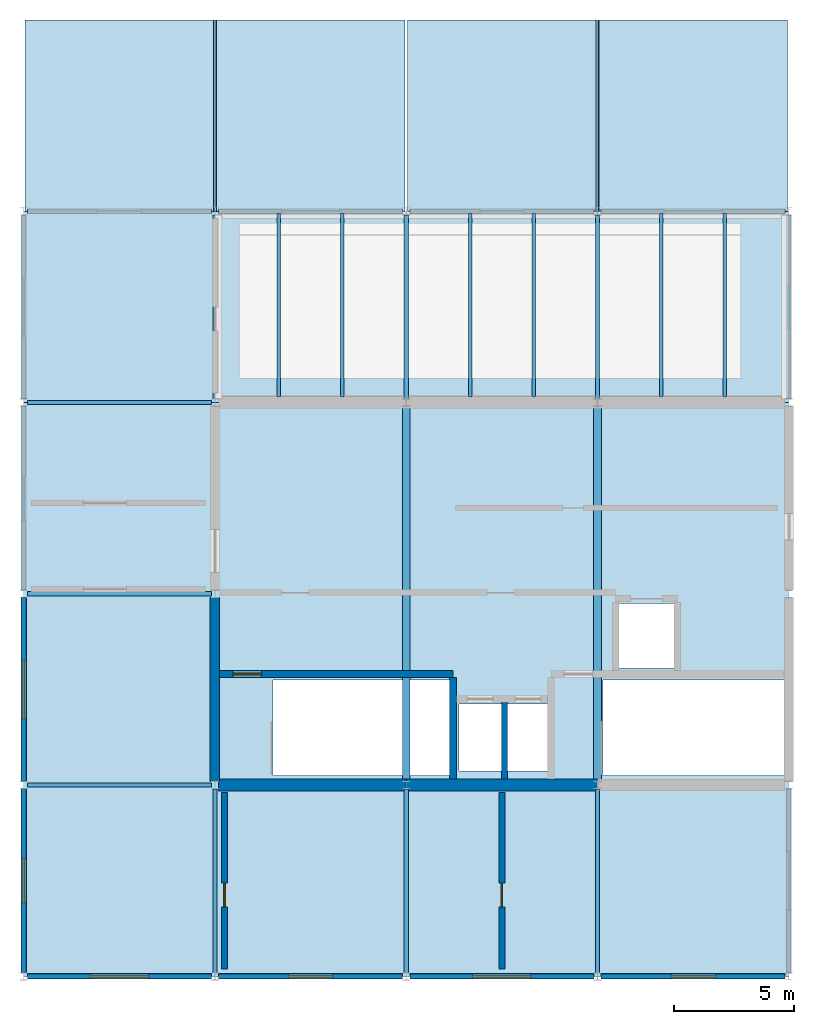
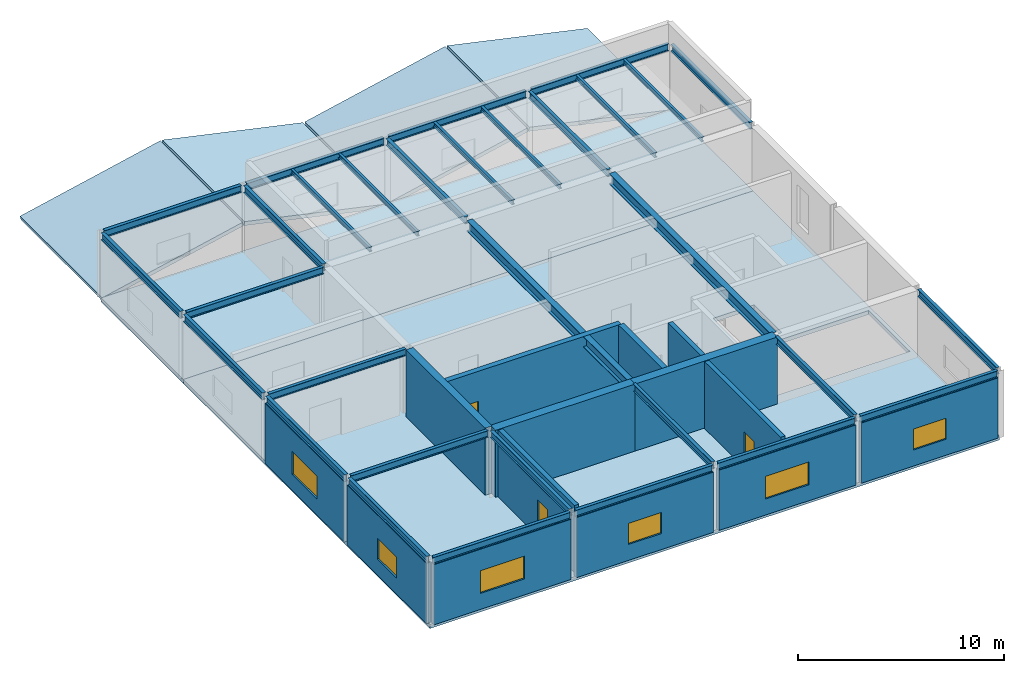
# One storey, part 4 of 7: 31 beams, 14 walls, 6 slabs, 6 windows, 3 doors, 9 openings.
"""IFC4 building model written with IfcOpenShell, lengths in metres."""

from ifc_helpers import new_model, si_unit, direction, frame, frame_2d, origin, origin_2d, place, context, subcontext, project, spatial, polyline, rectangle, i_section, outline, extrude, material, layer, layer_set, material_profile, profile_set, type_object, element, fill, save


model = new_model("IFC4")

# Units and contexts
model_context = context("Model", 3, precision=1e-05, world=origin(), true_north=direction((0.0, 1.0)))
body_context = subcontext(model_context, "Body", "Model", "MODEL_VIEW")
ifc_project = project(units=[si_unit("LENGTHUNIT", "METRE"), si_unit("AREAUNIT", "SQUARE_METRE"), si_unit("VOLUMEUNIT", "CUBIC_METRE"), si_unit("PLANEANGLEUNIT", "RADIAN"), si_unit("MASSUNIT", "GRAM", prefix="KILO")], contexts=[model_context])

# Site, building, storey
site_placement = place(None, origin())
site = spatial("IfcSite", under=ifc_project, at=site_placement, CompositionType="ELEMENT")
building_placement = place(site_placement, origin())
building = spatial("IfcBuilding", under=site, at=building_placement, Name="Varnela Railside Interchange", CompositionType="ELEMENT")
storey_placement = place(building_placement, frame((0.0, 0.0, 36.39990234375)))
storey = spatial("IfcBuildingStorey", under=building, at=storey_placement, Name="L08", CompositionType="ELEMENT", Elevation=36.39990234375)

# Beams
ifc_material_1 = material(Name="Steel AR 350 (350 MPa)", Category="steel")
ifc_material_profile_1 = material_profile(ifc_material_1, i_section(OverallWidth=0.177978515625, OverallDepth=0.406982421875, WebThickness=0.0078125, FlangeThickness=0.0126953125, at=origin_2d()), Name="W410x60")
ifc_profile_set_1 = profile_set([ifc_material_profile_1], Name="Steel AR 350 (350 MPa)")
beam_type_1 = type_object("IfcBeamType", Name="Crown Roof Steel Girder B-23", PredefinedType="BEAM", material=ifc_profile_set_1)
for number, where, z_axis, x_axis, name in (
    (1, (4.154052734375, 46.0, 3.776611328125), (1.0, 0.0, 0.0), (0.0, 1.0, 0.0), "Crown Roof Steel Girder B-23 (L08) (BM-2793)"),
    (2, (12.154052734375, 46.0, 3.776611328125), (1.0, 0.0, 0.0), (0.0, 1.0, 0.0), "Crown Roof Steel Girder B-23 (L08) (BM-2790)"),
    (3, (20.154052734375, 46.0, 3.776611328125), (1.0, 0.0, 0.0), (0.0, 1.0, 0.0), "Crown Roof Steel Girder B-23 (L08) (BM-2791)"),
    (4, (28.154052734375, 46.0, 3.776611328125), (1.0, 0.0, 0.0), (0.0, 1.0, 0.0), "Crown Roof Steel Girder B-23 (L08) (BM-2792)"),
):
    element("IfcBeam", number, at=place(storey_placement, frame(where, z_axis=z_axis, x_axis=x_axis)), inside=storey, type_object=beam_type_1, Name=name, PredefinedType="BEAM", context=body_context, shape_type="SweptSolid", body=[
        extrude(i_section(OverallWidth=0.177978515625, OverallDepth=0.406982421875, WebThickness=0.0078125, FlangeThickness=0.0126953125, at=origin_2d()), origin(), (0.0, 0.0, 1.0), 7.69189453125),
    ])
for number, where, z_axis, x_axis, name in (
    (5, (4.154052734375, 54.0, 3.776611328125), (1.0, 0.0, 0.0), (0.0, 1.0, 0.0), "Crown Roof Steel Girder B-23 (L08) (BM-2794)"),
    (6, (4.154052734375, 62.0, 3.776611328125), (1.0, 0.0, 0.0), (0.0, 1.0, 0.0), "Crown Roof Steel Girder B-23 (L08) (BM-2795)"),
    (7, (4.154052734375, 70.0, 3.776611328125), (1.0, 0.0, 0.0), (0.0, 1.0, 0.0), "Crown Roof Steel Girder B-23 (L08) (BM-2796)"),
):
    element("IfcBeam", number, at=place(storey_placement, frame(where, z_axis=z_axis, x_axis=x_axis)), inside=storey, type_object=beam_type_1, Name=name, PredefinedType="BEAM", context=body_context, shape_type="SweptSolid", body=[
        extrude(i_section(OverallWidth=0.177978515625, OverallDepth=0.406982421875, WebThickness=0.0078125, FlangeThickness=0.0126953125, at=origin_2d()), origin(), (0.0, 0.0, 1.0), 7.69091796875),
    ])
for number, where, z_axis, x_axis, name in (
    (8, (4.154052734375, 78.0, 3.776611328125), (1.0, 0.0, 0.0), (0.0, 1.0, 0.0), "Crown Roof Steel Girder B-23 (L08) (BM-2800)"),
    (9, (12.154052734375, 78.0, 3.776611328125), (1.0, 0.0, 0.0), (0.0, 1.0, 0.0), "Crown Roof Steel Girder B-23 (L08) (BM-2797)"),
    (10, (20.154052734375, 78.0, 3.776611328125), (1.0, 0.0, 0.0), (0.0, 1.0, 0.0), "Crown Roof Steel Girder B-23 (L08) (BM-2798)"),
    (11, (28.154052734375, 78.0, 3.776611328125), (1.0, 0.0, 0.0), (0.0, 1.0, 0.0), "Crown Roof Steel Girder B-23 (L08) (BM-2799)"),
):
    element("IfcBeam", number, at=place(storey_placement, frame(where, z_axis=z_axis, x_axis=x_axis)), inside=storey, type_object=beam_type_1, Name=name, PredefinedType="BEAM", context=body_context, shape_type="SweptSolid", body=[
        extrude(i_section(OverallWidth=0.177978515625, OverallDepth=0.406982421875, WebThickness=0.0078125, FlangeThickness=0.0126953125, at=origin_2d()), origin(), (0.0, 0.0, 1.0), 7.69189453125),
    ])
for number, where, z_axis, x_axis, name in (
    (12, (4.0, 46.151611328125, 3.776611328125), (0.0, 1.0, 0.0), (-1.0, 0.0, 0.0), "Crown Roof Steel Girder B-23 (L08) (BM-2801)"),
    (13, (4.0, 54.151611328125, 3.776611328125), (0.0, 1.0, 0.0), (-1.0, 0.0, 0.0), "Crown Roof Steel Girder B-23 (L08) (BM-2802)"),
    (14, (4.0, 62.151611328125, 3.776611328125), (0.0, 1.0, 0.0), (-1.0, 0.0, 0.0), "Crown Roof Steel Girder B-23 (L08) (BM-2803)"),
    (15, (4.0, 70.151611328125, 3.776611328125), (0.0, 1.0, 0.0), (-1.0, 0.0, 0.0), "Crown Roof Steel Girder B-23 (L08) (BM-2804)"),
):
    element("IfcBeam", number, at=place(storey_placement, frame(where, z_axis=z_axis, x_axis=x_axis)), inside=storey, type_object=beam_type_1, Name=name, PredefinedType="BEAM", context=body_context, shape_type="SweptSolid", body=[
        extrude(i_section(OverallWidth=0.177978515625, OverallDepth=0.406982421875, WebThickness=0.0078125, FlangeThickness=0.0126953125, at=origin_2d()), origin(), (0.0, 0.0, 1.0), 7.69677734375),
    ])
for number, where, z_axis, x_axis, name in (
    (16, (12.0, 46.151611328125, 3.776611328125), (0.0, 1.0, 0.0), (-1.0, 0.0, 0.0), "Crown Roof Steel Girder B-23 (L08) (BM-2805)"),
    (17, (12.0, 70.154052734375, 3.776611328125), (0.0, 1.0, 0.0), (-1.0, 0.0, 0.0), "Crown Roof Steel Girder B-23 (L08) (BM-2806)"),
    (18, (20.0, 46.151611328125, 3.776611328125), (0.0, 1.0, 0.0), (-1.0, 0.0, 0.0), "Crown Roof Steel Girder B-23 (L08) (BM-2807)"),
    (19, (20.0, 70.154052734375, 3.776611328125), (0.0, 1.0, 0.0), (-1.0, 0.0, 0.0), "Crown Roof Steel Girder B-23 (L08) (BM-2809)"),
    (20, (28.0, 46.151611328125, 3.776611328125), (0.0, 1.0, 0.0), (-1.0, 0.0, 0.0), "Crown Roof Steel Girder B-23 (L08) (BM-2810)"),
    (21, (28.0, 70.154052734375, 3.776611328125), (0.0, 1.0, 0.0), (-1.0, 0.0, 0.0), "Crown Roof Steel Girder B-23 (L08) (BM-2812)"),
    (22, (36.0, 46.151611328125, 3.776611328125), (0.0, 1.0, 0.0), (-1.0, 0.0, 0.0), "Crown Roof Steel Girder B-23 (L08) (BM-2813)"),
    (23, (36.0, 70.154052734375, 3.776611328125), (0.0, 1.0, 0.0), (-1.0, 0.0, 0.0), "Crown Roof Steel Girder B-23 (L08) (BM-2814)"),
):
    element("IfcBeam", number, at=place(storey_placement, frame(where, z_axis=z_axis, x_axis=x_axis)), inside=storey, type_object=beam_type_1, Name=name, PredefinedType="BEAM", context=body_context, shape_type="SweptSolid", body=[
        extrude(i_section(OverallWidth=0.177978515625, OverallDepth=0.406982421875, WebThickness=0.0078125, FlangeThickness=0.0126953125, at=origin_2d()), origin(), (0.0, 0.0, 1.0), 7.6943359375),
    ])
ifc_material_profile_2 = material_profile(ifc_material_1, i_section(OverallWidth=0.14599609375, OverallDepth=0.258056640625, WebThickness=0.006103515625, FlangeThickness=0.009033203125, at=origin_2d()), Name="W250x32.7")
ifc_profile_set_2 = profile_set([ifc_material_profile_2], Name="Steel AR 350 (350 MPa)")
beam_type_2 = type_object("IfcBeamType", Name="Roof Deck Joist J-06", PredefinedType="JOIST", material=ifc_profile_set_2)
for number, where, z_axis, x_axis, name in (
    (24, (14.669921875, 70.239990234375, 3.85107421875), (0.0, 1.0, 0.0), (-1.0, 0.0, 0.0), "Roof Deck Joist J-06 (L08) (BM-2784)"),
    (25, (17.330078125, 70.239990234375, 3.85107421875), (0.0, 1.0, 0.0), (-1.0, 0.0, 0.0), "Roof Deck Joist J-06 (L08) (BM-2785)"),
    (26, (22.669921875, 70.239990234375, 3.85107421875), (0.0, 1.0, 0.0), (-1.0, 0.0, 0.0), "Roof Deck Joist J-06 (L08) (BM-2786)"),
    (27, (25.330078125, 70.239990234375, 3.85107421875), (0.0, 1.0, 0.0), (-1.0, 0.0, 0.0), "Roof Deck Joist J-06 (L08) (BM-2787)"),
    (28, (30.669921875, 70.239990234375, 3.85107421875), (0.0, 1.0, 0.0), (-1.0, 0.0, 0.0), "Roof Deck Joist J-06 (L08) (BM-2788)"),
    (29, (33.330078125, 70.239990234375, 3.85107421875), (0.0, 1.0, 0.0), (-1.0, 0.0, 0.0), "Roof Deck Joist J-06 (L08) (BM-2789)"),
):
    element("IfcBeam", number, at=place(storey_placement, frame(where, z_axis=z_axis, x_axis=x_axis)), inside=storey, type_object=beam_type_2, Name=name, PredefinedType="JOIST", context=body_context, shape_type="SweptSolid", body=[
        extrude(i_section(OverallWidth=0.14599609375, OverallDepth=0.258056640625, WebThickness=0.006103515625, FlangeThickness=0.009033203125, at=origin_2d()), origin(), (0.0, 0.0, 1.0), 7.6708984375),
    ])
ifc_material_profile_3 = material_profile(ifc_material_1, i_section(OverallWidth=0.327880859375, OverallDepth=0.6279296875, WebThickness=0.0166015625, FlangeThickness=0.027587890625, at=origin_2d()), Name="W610x217")
ifc_profile_set_3 = profile_set([ifc_material_profile_3], Name="Steel AR 350 (350 MPa)")
beam_type_3 = type_object("IfcBeamType", Name="Transfer Tie Steel Girder B-12", PredefinedType="BEAM", material=ifc_profile_set_3)
for number, where, z_axis, x_axis, name in (
    (30, (20.0, 54.154052734375, 3.666015625), (0.0, 1.0, 0.0), (-1.0, 0.0, 0.0), "Transfer Tie Steel Girder B-12 (L08) (BM-2808)"),
    (31, (28.0, 54.154052734375, 3.666015625), (0.0, 1.0, 0.0), (-1.0, 0.0, 0.0), "Transfer Tie Steel Girder B-12 (L08) (BM-2811)"),
):
    element("IfcBeam", number, at=place(storey_placement, frame(where, z_axis=z_axis, x_axis=x_axis)), inside=storey, type_object=beam_type_3, Name=name, PredefinedType="BEAM", context=body_context, shape_type="SweptSolid", body=[
        extrude(i_section(OverallWidth=0.327880859375, OverallDepth=0.6279296875, WebThickness=0.0166015625, FlangeThickness=0.027587890625, at=origin_2d()), origin(), (0.0, 0.0, 1.0), 15.69189453125),
    ])

# Slabs
ifc_material_2 = material(Name="Concrete C40", Category="concrete")
ifc_layer_1 = layer(ifc_material_2, 0.239990234375)
ifc_layer_set_1 = layer_set([ifc_layer_1], Name="Concrete C40")
slab_type_1 = type_object("IfcSlabType", Name="Central Plant Floor Slab SL-240", PredefinedType="FLOOR", material=ifc_layer_set_1)
slab_1_placement = place(storey_placement, frame((0.0, 0.0, -0.239990234375)))
element("IfcSlab", 32, at=slab_1_placement, inside=storey, type_object=slab_type_1, Name="Central Plant Floor Slab SL-240 (L08) (SL-0214)", PredefinedType="FLOOR", context=body_context, shape_type="SweptSolid", body=[
    extrude(outline(polyline([(4.0, 46.0), (36.0, 46.0), (36.0, 70.0), (4.0, 70.0), (4.0, 46.0)]), holes=[polyline([(14.429931640625, 54.39990234375), (21.800048828125, 54.39990234375), (21.800048828125, 58.39990234375), (14.429931640625, 58.39990234375), (14.429931640625, 54.39990234375)]), polyline([(28.22998046875, 54.39990234375), (35.800048828125, 54.39990234375), (35.800048828125, 58.39990234375), (28.22998046875, 58.39990234375), (28.22998046875, 54.39990234375)]), polyline([(22.199951171875, 54.60009765625), (24.0, 54.60009765625), (24.0, 57.39990234375), (22.199951171875, 57.39990234375), (22.199951171875, 54.60009765625)]), polyline([(24.199951171875, 54.60009765625), (26.0, 54.60009765625), (26.0, 57.39990234375), (24.199951171875, 57.39990234375), (24.199951171875, 54.60009765625)]), polyline([(28.89990234375, 58.89990234375), (31.199951171875, 58.89990234375), (31.199951171875, 61.60009765625), (28.89990234375, 61.60009765625), (28.89990234375, 58.89990234375)])]), origin(), (0.0, 0.0, 1.0), 0.239990234375),
])
slab_2_placement = place(storey_placement, frame((0.0, 0.0, -0.239990234375)))
element("IfcSlab", 33, at=slab_2_placement, inside=storey, type_object=slab_type_1, Name="Central Plant Floor Slab SL-240 (L08) (SL-0215)", PredefinedType="FLOOR", context=body_context, shape_type="SweptSolid", body=[
    extrude(outline(polyline([(4.0, 70.0), (36.0, 70.0), (36.0, 78.0), (4.0, 78.0), (4.0, 70.0)])), origin(), (0.0, 0.0, 1.0), 0.239990234375),
])
ifc_layer_2 = layer(ifc_material_2, 0.22998046875)
ifc_layer_set_2 = layer_set([ifc_layer_2], Name="Concrete C40")
slab_type_2 = type_object("IfcSlabType", Name="Folded Concrete Pavilion Roof Shell FS-01", PredefinedType="ROOF", material=ifc_layer_set_2)
for number, where, z_axis, x_axis, name in (
    (34, (4.06005859375, 78.0, -0.02490234375), (-0.213859347416, 0.0, 0.976864463231), (0.976864463231, 0.0, 0.213859347416), "Folded Concrete Pavilion Roof Shell FS-01 (L08) (SL-0216)"),
    (35, (12.06005859375, 78.0, 1.7001953125), (0.213859347416, 0.0, 0.976864463231), (0.976864463231, 0.0, -0.213859347416), "Folded Concrete Pavilion Roof Shell FS-01 (L08) (SL-0217)"),
    (36, (20.06005859375, 78.0, -0.02490234375), (-0.213859347416, 0.0, 0.976864463231), (0.976864463231, 0.0, 0.213859347416), "Folded Concrete Pavilion Roof Shell FS-01 (L08) (SL-0218)"),
    (37, (28.06005859375, 78.0, 1.7001953125), (0.213859347416, 0.0, 0.976864463231), (0.976864463231, 0.0, -0.213859347416), "Folded Concrete Pavilion Roof Shell FS-01 (L08) (SL-0219)"),
):
    element("IfcSlab", number, at=place(storey_placement, frame(where, z_axis=z_axis, x_axis=x_axis)), inside=storey, type_object=slab_type_2, Name=name, PredefinedType="ROOF", context=body_context, shape_type="SweptSolid", body=[
        extrude(outline(polyline([(0.0, 0.0), (8.066505752947316, 0.0), (8.066505752947316, 8.0), (0.0, 8.0), (0.0, 0.0)])), origin(), (0.0, 0.0, -1.0), 0.22998046875),
    ])

# Walls
ifc_material_3 = material(Name="Concrete C50", Category="concrete")
ifc_layer_3 = layer(ifc_material_3, 0.39990234375)
ifc_layer_set_3 = layer_set([ifc_layer_3], Name="Concrete C50")
wall_type_1 = type_object("IfcWallType", Name="Core Coupling Shear Wall SW-02", PredefinedType="SHEAR", material=ifc_layer_set_3)
wall_1_placement = place(storey_placement, frame((12.0, 54.154052734375, 0.0), z_axis=(0.0, 0.0, 1.0), x_axis=(0.0, 1.0, 0.0)))
element("IfcWall", 38, at=wall_1_placement, inside=storey, type_object=wall_type_1, Name="Core Coupling Shear Wall SW-02 (L08) (WL-1086)", PredefinedType="SHEAR", context=body_context, shape_type="SweptSolid", body=[
    extrude(rectangle(XDim=7.69189453125, YDim=0.39990234375, at=frame_2d((3.845947265625, 0.0))), origin(), (0.0, 0.0, 1.0), 3.97998046875),
])
ifc_layer_4 = layer(ifc_material_3, 0.5)
ifc_layer_set_4 = layer_set([ifc_layer_4], Name="Concrete C50")
wall_type_2 = type_object("IfcWallType", Name="Core Primary Shear Wall SW-01", PredefinedType="SHEAR", material=ifc_layer_set_4)
wall_2_placement = place(storey_placement, frame((12.155029296875, 54.0, 0.0), z_axis=(0.0, 0.0, 1.0), x_axis=(1.0, 0.0, 0.0)))
element("IfcWall", 39, at=wall_2_placement, inside=storey, type_object=wall_type_2, Name="Core Primary Shear Wall SW-01 (L08) (WL-1079)", PredefinedType="SHEAR", context=body_context, shape_type="SweptSolid", body=[
    extrude(rectangle(XDim=7.844970703125, YDim=0.5, at=frame_2d((3.92236328125, 0.0))), origin(), (0.0, 0.0, 1.0), 3.97998046875),
])
wall_3_placement = place(storey_placement, frame((20.0, 54.0, 0.0), z_axis=(0.0, 0.0, 1.0), x_axis=(1.0, 0.0, 0.0)))
element("IfcWall", 40, at=wall_3_placement, inside=storey, type_object=wall_type_2, Name="Core Primary Shear Wall SW-01 (L08) (WL-1080)", PredefinedType="SHEAR", context=body_context, shape_type="SweptSolid", body=[
    extrude(rectangle(XDim=8.0, YDim=0.5, at=frame_2d((4.0, 0.0))), origin(), (0.0, 0.0, 1.0), 3.97998046875),
])

# Wall, opening, window
ifc_material_4 = material(Name="Concrete C40 precast", Category="concrete")
ifc_layer_5 = layer(ifc_material_4, 0.239990234375)
ifc_layer_set_5 = layer_set([ifc_layer_5], Name="Concrete C40 precast")
wall_type_3 = type_object("IfcWallType", Name="Plant Louvre Screen Wall EW-05", PredefinedType="STANDARD", material=ifc_layer_set_5)
wall_4_placement = place(storey_placement, frame((35.845947265625, 46.0, 0.0), z_axis=(0.0, 0.0, 1.0), x_axis=(-1.0, 0.0, 0.0)))
wall_4 = element("IfcWall", 41, at=wall_4_placement, inside=storey, type_object=wall_type_3, Name="Plant Louvre Screen Wall EW-05 (L08) (WL-1088)", PredefinedType="STANDARD", context=body_context, shape_type="SweptSolid", body=[
    extrude(rectangle(XDim=7.69189453125, YDim=0.239990234375, at=frame_2d((3.845947265625, 0.0))), origin(), (0.0, 0.0, 1.0), 3.572998046875),
])
opening_1_placement = place(wall_4_placement, frame((2.9208984375, 0.0, 0.949951171875)))
opening_1 = element("IfcOpeningElement", 42, at=opening_1_placement, cuts=wall_4, Name="Opening W-155", PredefinedType="OPENING", context=body_context, shape_type="SweptSolid", body=[
    extrude(rectangle(XDim=1.85009765625, YDim=1.25, at=frame_2d((0.925048828125, 0.625))), frame((0.0, 0.1298828125, 0.0), z_axis=(0.0, -1.0, 0.0), x_axis=(1.0, 0.0, 0.0)), (0.0, 0.0, 1.0), 0.260009765625),
])
ifc_material_5 = material(Name="Aluminium 6063-T6", Category="aluminium")
window_type_1 = type_object("IfcWindowType", Name="Smoke Extract Louvre Win WN-24", PartitioningType="SINGLE_PANEL", PredefinedType="WINDOW", material=ifc_material_5)
window_1_placement = place(opening_1_placement, origin())
window_1 = element("IfcWindow", 43, at=window_1_placement, inside=storey, type_object=window_type_1, Name="Window W-155", OverallHeight=1.25, OverallWidth=1.85009765625, PartitioningType="SINGLE_PANEL", PredefinedType="WINDOW", context=body_context, shape_type="SweptSolid", body=[
    extrude(rectangle(XDim=1.85009765625, YDim=1.25, at=frame_2d((0.925048828125, 0.625))), frame((0.0, 0.030029296875, 0.0), z_axis=(0.0, -1.0, 0.0), x_axis=(1.0, 0.0, 0.0)), (0.0, 0.0, 1.0), 0.06005859375),
])
fill(opening_1, window_1)

wall_5_placement = place(storey_placement, frame((27.845947265625, 46.0, 0.0), z_axis=(0.0, 0.0, 1.0), x_axis=(-1.0, 0.0, 0.0)))
wall_5 = element("IfcWall", 44, at=wall_5_placement, inside=storey, type_object=wall_type_3, Name="Plant Louvre Screen Wall EW-05 (L08) (WL-1094)", PredefinedType="STANDARD", context=body_context, shape_type="SweptSolid", body=[
    extrude(rectangle(XDim=7.69189453125, YDim=0.239990234375, at=frame_2d((3.845947265625, 0.0))), origin(), (0.0, 0.0, 1.0), 3.572998046875),
])
opening_2_placement = place(wall_5_placement, frame((2.62109375, 0.0, 0.949951171875)))
opening_2 = element("IfcOpeningElement", 45, at=opening_2_placement, cuts=wall_5, Name="Opening W-156", PredefinedType="OPENING", context=body_context, shape_type="SweptSolid", body=[
    extrude(rectangle(XDim=2.449951171875, YDim=1.35009765625, at=frame_2d((1.22509765625, 0.675048828125))), frame((0.0, 0.1298828125, 0.0), z_axis=(0.0, -1.0, 0.0), x_axis=(1.0, 0.0, 0.0)), (0.0, 0.0, 1.0), 0.260009765625),
])
window_type_2 = type_object("IfcWindowType", Name="Plant Acoustic Louvre Win WN-23", PartitioningType="SINGLE_PANEL", PredefinedType="WINDOW", material=ifc_material_5)
window_2_placement = place(opening_2_placement, origin())
window_2 = element("IfcWindow", 46, at=window_2_placement, inside=storey, type_object=window_type_2, Name="Window W-156", OverallHeight=1.35009765625, OverallWidth=2.449951171875, PartitioningType="SINGLE_PANEL", PredefinedType="WINDOW", context=body_context, shape_type="SweptSolid", body=[
    extrude(rectangle(XDim=2.449951171875, YDim=1.35009765625, at=frame_2d((1.22509765625, 0.675048828125))), frame((0.0, 0.030029296875, 0.0), z_axis=(0.0, -1.0, 0.0), x_axis=(1.0, 0.0, 0.0)), (0.0, 0.0, 1.0), 0.06005859375),
])
fill(opening_2, window_2)

wall_6_placement = place(storey_placement, frame((19.845947265625, 46.0, 0.0), z_axis=(0.0, 0.0, 1.0), x_axis=(-1.0, 0.0, 0.0)))
wall_6 = element("IfcWall", 47, at=wall_6_placement, inside=storey, type_object=wall_type_3, Name="Plant Louvre Screen Wall EW-05 (L08) (WL-1095)", PredefinedType="STANDARD", context=body_context, shape_type="SweptSolid", body=[
    extrude(rectangle(XDim=7.69189453125, YDim=0.239990234375, at=frame_2d((3.845947265625, 0.0))), origin(), (0.0, 0.0, 1.0), 3.572998046875),
])
opening_3_placement = place(wall_6_placement, frame((2.9208984375, 0.0, 0.949951171875)))
opening_3 = element("IfcOpeningElement", 48, at=opening_3_placement, cuts=wall_6, Name="Opening W-157", PredefinedType="OPENING", context=body_context, shape_type="SweptSolid", body=[
    extrude(rectangle(XDim=1.85009765625, YDim=1.25, at=frame_2d((0.925048828125, 0.625))), frame((0.0, 0.1298828125, 0.0), z_axis=(0.0, -1.0, 0.0), x_axis=(1.0, 0.0, 0.0)), (0.0, 0.0, 1.0), 0.260009765625),
])
window_3_placement = place(opening_3_placement, origin())
window_3 = element("IfcWindow", 49, at=window_3_placement, inside=storey, type_object=window_type_1, Name="Window W-157", OverallHeight=1.25, OverallWidth=1.85009765625, PartitioningType="SINGLE_PANEL", PredefinedType="WINDOW", context=body_context, shape_type="SweptSolid", body=[
    extrude(rectangle(XDim=1.85009765625, YDim=1.25, at=frame_2d((0.925048828125, 0.625))), frame((0.0, 0.030029296875, 0.0), z_axis=(0.0, -1.0, 0.0), x_axis=(1.0, 0.0, 0.0)), (0.0, 0.0, 1.0), 0.06005859375),
])
fill(opening_3, window_3)

wall_7_placement = place(storey_placement, frame((11.845947265625, 46.0, 0.0), z_axis=(0.0, 0.0, 1.0), x_axis=(-1.0, 0.0, 0.0)))
wall_7 = element("IfcWall", 50, at=wall_7_placement, inside=storey, type_object=wall_type_3, Name="Plant Louvre Screen Wall EW-05 (L08) (WL-1096)", PredefinedType="STANDARD", context=body_context, shape_type="SweptSolid", body=[
    extrude(rectangle(XDim=7.69189453125, YDim=0.239990234375, at=frame_2d((3.845947265625, 0.0))), origin(), (0.0, 0.0, 1.0), 3.572998046875),
])
opening_4_placement = place(wall_7_placement, frame((2.62109375, 0.0, 0.949951171875)))
opening_4 = element("IfcOpeningElement", 51, at=opening_4_placement, cuts=wall_7, Name="Opening W-158", PredefinedType="OPENING", context=body_context, shape_type="SweptSolid", body=[
    extrude(rectangle(XDim=2.449951171875, YDim=1.35009765625, at=frame_2d((1.22509765625, 0.675048828125))), frame((0.0, 0.1298828125, 0.0), z_axis=(0.0, -1.0, 0.0), x_axis=(1.0, 0.0, 0.0)), (0.0, 0.0, 1.0), 0.260009765625),
])
window_4_placement = place(opening_4_placement, origin())
window_4 = element("IfcWindow", 52, at=window_4_placement, inside=storey, type_object=window_type_2, Name="Window W-158", OverallHeight=1.35009765625, OverallWidth=2.449951171875, PartitioningType="SINGLE_PANEL", PredefinedType="WINDOW", context=body_context, shape_type="SweptSolid", body=[
    extrude(rectangle(XDim=2.449951171875, YDim=1.35009765625, at=frame_2d((1.22509765625, 0.675048828125))), frame((0.0, 0.030029296875, 0.0), z_axis=(0.0, -1.0, 0.0), x_axis=(1.0, 0.0, 0.0)), (0.0, 0.0, 1.0), 0.06005859375),
])
fill(opening_4, window_4)

wall_8_placement = place(storey_placement, frame((4.0, 46.151611328125, 0.0), z_axis=(0.0, 0.0, 1.0), x_axis=(0.0, 1.0, 0.0)))
wall_8 = element("IfcWall", 53, at=wall_8_placement, inside=storey, type_object=wall_type_3, Name="Plant Louvre Screen Wall EW-05 (L08) (WL-1097)", PredefinedType="STANDARD", context=body_context, shape_type="SweptSolid", body=[
    extrude(rectangle(XDim=7.69677734375, YDim=0.239990234375, at=frame_2d((3.848388671875, 0.0))), origin(), (0.0, 0.0, 1.0), 3.572998046875),
])
opening_5_placement = place(wall_8_placement, frame((2.923583984375, 0.0, 0.949951171875)))
opening_5 = element("IfcOpeningElement", 54, at=opening_5_placement, cuts=wall_8, Name="Opening W-159", PredefinedType="OPENING", context=body_context, shape_type="SweptSolid", body=[
    extrude(rectangle(XDim=1.85009765625, YDim=1.25, at=frame_2d((0.925048828125, 0.625))), frame((0.0, 0.1298828125, 0.0), z_axis=(0.0, -1.0, 0.0), x_axis=(1.0, 0.0, 0.0)), (0.0, 0.0, 1.0), 0.260009765625),
])
window_5_placement = place(opening_5_placement, origin())
window_5 = element("IfcWindow", 55, at=window_5_placement, inside=storey, type_object=window_type_1, Name="Window W-159", OverallHeight=1.25, OverallWidth=1.85009765625, PartitioningType="SINGLE_PANEL", PredefinedType="WINDOW", context=body_context, shape_type="SweptSolid", body=[
    extrude(rectangle(XDim=1.85009765625, YDim=1.25, at=frame_2d((0.925048828125, 0.625))), frame((0.0, 0.030029296875, 0.0), z_axis=(0.0, -1.0, 0.0), x_axis=(1.0, 0.0, 0.0)), (0.0, 0.0, 1.0), 0.06005859375),
])
fill(opening_5, window_5)

wall_9_placement = place(storey_placement, frame((4.0, 54.151611328125, 0.0), z_axis=(0.0, 0.0, 1.0), x_axis=(0.0, 1.0, 0.0)))
wall_9 = element("IfcWall", 56, at=wall_9_placement, inside=storey, type_object=wall_type_3, Name="Plant Louvre Screen Wall EW-05 (L08) (WL-1098)", PredefinedType="STANDARD", context=body_context, shape_type="SweptSolid", body=[
    extrude(rectangle(XDim=7.69677734375, YDim=0.239990234375, at=frame_2d((3.848388671875, 0.0))), origin(), (0.0, 0.0, 1.0), 3.572998046875),
])
opening_6_placement = place(wall_9_placement, frame((2.62353515625, 0.0, 0.949951171875)))
opening_6 = element("IfcOpeningElement", 57, at=opening_6_placement, cuts=wall_9, Name="Opening W-160", PredefinedType="OPENING", context=body_context, shape_type="SweptSolid", body=[
    extrude(rectangle(XDim=2.449951171875, YDim=1.35009765625, at=frame_2d((1.22509765625, 0.675048828125))), frame((0.0, 0.1298828125, 0.0), z_axis=(0.0, -1.0, 0.0), x_axis=(1.0, 0.0, 0.0)), (0.0, 0.0, 1.0), 0.260009765625),
])
window_6_placement = place(opening_6_placement, origin())
window_6 = element("IfcWindow", 58, at=window_6_placement, inside=storey, type_object=window_type_2, Name="Window W-160", OverallHeight=1.35009765625, OverallWidth=2.449951171875, PartitioningType="SINGLE_PANEL", PredefinedType="WINDOW", context=body_context, shape_type="SweptSolid", body=[
    extrude(rectangle(XDim=2.449951171875, YDim=1.35009765625, at=frame_2d((1.22509765625, 0.675048828125))), frame((0.0, 0.030029296875, 0.0), z_axis=(0.0, -1.0, 0.0), x_axis=(1.0, 0.0, 0.0)), (0.0, 0.0, 1.0), 0.06005859375),
])
fill(opening_6, window_6)

# Wall, opening, door
ifc_layer_6 = layer(ifc_material_3, 0.300048828125)
ifc_layer_set_6 = layer_set([ifc_layer_6], Name="Concrete C50")
wall_type_4 = type_object("IfcWallType", Name="Stair & Lift Shaft Wall SW-03", PredefinedType="SHEAR", material=ifc_layer_set_6)
wall_10_placement = place(storey_placement, frame((12.199951171875, 58.64990234375, 0.0), z_axis=(0.0, 0.0, 1.0), x_axis=(1.0, 0.0, 0.0)))
wall_10 = element("IfcWall", 59, at=wall_10_placement, inside=storey, type_object=wall_type_4, Name="Stair & Lift Shaft Wall SW-03 (L08) (WL-1083)", PredefinedType="SHEAR", context=body_context, shape_type="SweptSolid", body=[
    extrude(rectangle(XDim=9.75, YDim=0.300048828125, at=frame_2d((4.875, 0.0))), origin(), (0.0, 0.0, 1.0), 3.97998046875),
])
opening_7_placement = place(wall_10_placement, frame((0.550048828125, 0.0, 0.0)))
opening_7 = element("IfcOpeningElement", 60, at=opening_7_placement, cuts=wall_10, Name="Opening D-321", PredefinedType="OPENING", context=body_context, shape_type="SweptSolid", body=[
    extrude(rectangle(XDim=1.199951171875, YDim=2.199951171875, at=frame_2d((0.60009765625, 1.10009765625))), frame((0.0, 0.159912109375, 0.0), z_axis=(0.0, -1.0, 0.0), x_axis=(1.0, 0.0, 0.0)), (0.0, 0.0, 1.0), 0.320068359375),
])
door_type_1 = type_object("IfcDoorType", Name="DR-SGL-1200-FD90", OperationType="NOTDEFINED", PredefinedType="DOOR", material=ifc_material_1)
door_1_placement = place(opening_7_placement, frame((1.199951171875, 0.0, 0.0), z_axis=(0.0, 0.0, 1.0), x_axis=(-1.0, 0.0, 0.0)))
door_1 = element("IfcDoor", 61, at=door_1_placement, inside=storey, type_object=door_type_1, Name="Door D-321", OperationType="SINGLE_SWING_LEFT", OverallHeight=2.199951171875, OverallWidth=1.199951171875, PredefinedType="DOOR", context=body_context, shape_type="SweptSolid", body=[
    extrude(rectangle(XDim=1.199951171875, YDim=2.199951171875, at=frame_2d((0.60009765625, 1.10009765625))), frame((0.0, 0.02490234375, 0.0), z_axis=(0.0, -1.0, 0.0), x_axis=(1.0, 0.0, 0.0)), (0.0, 0.0, 1.0), 0.050048828125),
])
fill(opening_7, door_1)

# Walls
wall_11_placement = place(storey_placement, frame((21.949951171875, 54.25, 0.0), z_axis=(0.0, 0.0, 1.0), x_axis=(0.0, 1.0, 0.0)))
element("IfcWall", 62, at=wall_11_placement, inside=storey, type_object=wall_type_4, Name="Stair & Lift Shaft Wall SW-03 (L08) (WL-1082)", PredefinedType="SHEAR", context=body_context, shape_type="SweptSolid", body=[
    extrude(rectangle(XDim=4.25, YDim=0.300048828125, at=frame_2d((2.125, 0.0))), origin(), (0.0, 0.0, 1.0), 3.97998046875),
])
wall_12_placement = place(storey_placement, frame((24.10009765625, 54.25, 0.0), z_axis=(0.0, 0.0, 1.0), x_axis=(0.0, 1.0, 0.0)))
element("IfcWall", 63, at=wall_12_placement, inside=storey, type_object=wall_type_4, Name="Stair & Lift Shaft Wall SW-03 (L08) (WL-1071)", PredefinedType="SHEAR", context=body_context, shape_type="SweptSolid", body=[
    extrude(rectangle(XDim=3.199951171875, YDim=0.25, at=frame_2d((1.60009765625, 0.0))), origin(), (0.0, 0.0, 1.0), 3.97998046875),
])

# Wall, opening, door
ifc_layer_7 = layer(ifc_material_2, 0.25)
ifc_layer_set_7 = layer_set([ifc_layer_7], Name="Concrete C40")
wall_type_5 = type_object("IfcWallType", Name="Substation Fire Wall EI120 FW-03", PredefinedType="SOLIDWALL", material=ifc_layer_set_7)
wall_13_placement = place(storey_placement, frame((12.39990234375, 46.300048828125, 0.0), z_axis=(0.0, 0.0, 1.0), x_axis=(0.0, 1.0, 0.0)))
wall_13 = element("IfcWall", 64, at=wall_13_placement, inside=storey, type_object=wall_type_5, Name="Substation Fire Wall EI120 FW-03 (L08) (WL-1107)", PredefinedType="SOLIDWALL", context=body_context, shape_type="SweptSolid", body=[
    extrude(rectangle(XDim=7.39990234375, YDim=0.25, at=frame_2d((3.699951171875, 0.0))), origin(), (0.0, 0.0, 1.0), 3.97998046875),
])
opening_8_placement = place(wall_13_placement, frame((2.60009765625, 0.0, 0.0)))
opening_8 = element("IfcOpeningElement", 65, at=opening_8_placement, cuts=wall_13, Name="Opening D-328", PredefinedType="OPENING", context=body_context, shape_type="SweptSolid", body=[
    extrude(rectangle(XDim=1.0, YDim=2.14990234375, at=frame_2d((0.5, 1.074951171875))), frame((0.0, 0.135009765625, 0.0), z_axis=(0.0, -1.0, 0.0), x_axis=(1.0, 0.0, 0.0)), (0.0, 0.0, 1.0), 0.27001953125),
])
door_type_2 = type_object("IfcDoorType", Name="DR-SGL-1000-FD60", OperationType="NOTDEFINED", PredefinedType="DOOR", material=ifc_material_1)
door_2_placement = place(opening_8_placement, origin())
door_2 = element("IfcDoor", 66, at=door_2_placement, inside=storey, type_object=door_type_2, Name="Door D-328", OperationType="SINGLE_SWING_RIGHT", OverallHeight=2.14990234375, OverallWidth=1.0, PredefinedType="DOOR", context=body_context, shape_type="SweptSolid", body=[
    extrude(rectangle(XDim=1.0, YDim=2.14990234375, at=frame_2d((0.5, 1.074951171875))), frame((0.0, 0.02490234375, 0.0), z_axis=(0.0, -1.0, 0.0), x_axis=(1.0, 0.0, 0.0)), (0.0, 0.0, 1.0), 0.050048828125),
])
fill(opening_8, door_2)

wall_14_placement = place(storey_placement, frame((24.0, 46.300048828125, 0.0), z_axis=(0.0, 0.0, 1.0), x_axis=(0.0, 1.0, 0.0)))
wall_14 = element("IfcWall", 67, at=wall_14_placement, inside=storey, type_object=wall_type_5, Name="Substation Fire Wall EI120 FW-03 (L08) (WL-1105)", PredefinedType="SOLIDWALL", context=body_context, shape_type="SweptSolid", body=[
    extrude(rectangle(XDim=7.39990234375, YDim=0.25, at=frame_2d((3.699951171875, 0.0))), origin(), (0.0, 0.0, 1.0), 3.97998046875),
])
opening_9_placement = place(wall_14_placement, frame((2.60009765625, 0.0, 0.0)))
opening_9 = element("IfcOpeningElement", 68, at=opening_9_placement, cuts=wall_14, Name="Opening D-329", PredefinedType="OPENING", context=body_context, shape_type="SweptSolid", body=[
    extrude(rectangle(XDim=1.0, YDim=2.14990234375, at=frame_2d((0.5, 1.074951171875))), frame((0.0, 0.135009765625, 0.0), z_axis=(0.0, -1.0, 0.0), x_axis=(1.0, 0.0, 0.0)), (0.0, 0.0, 1.0), 0.27001953125),
])
door_3_placement = place(opening_9_placement, origin())
door_3 = element("IfcDoor", 69, at=door_3_placement, inside=storey, type_object=door_type_2, Name="Door D-329", OperationType="SINGLE_SWING_LEFT", OverallHeight=2.14990234375, OverallWidth=1.0, PredefinedType="DOOR", context=body_context, shape_type="SweptSolid", body=[
    extrude(rectangle(XDim=1.0, YDim=2.14990234375, at=frame_2d((0.5, 1.074951171875))), frame((0.0, 0.02490234375, 0.0), z_axis=(0.0, -1.0, 0.0), x_axis=(1.0, 0.0, 0.0)), (0.0, 0.0, 1.0), 0.050048828125),
])
fill(opening_9, door_3)

save(model, "model.ifc")
